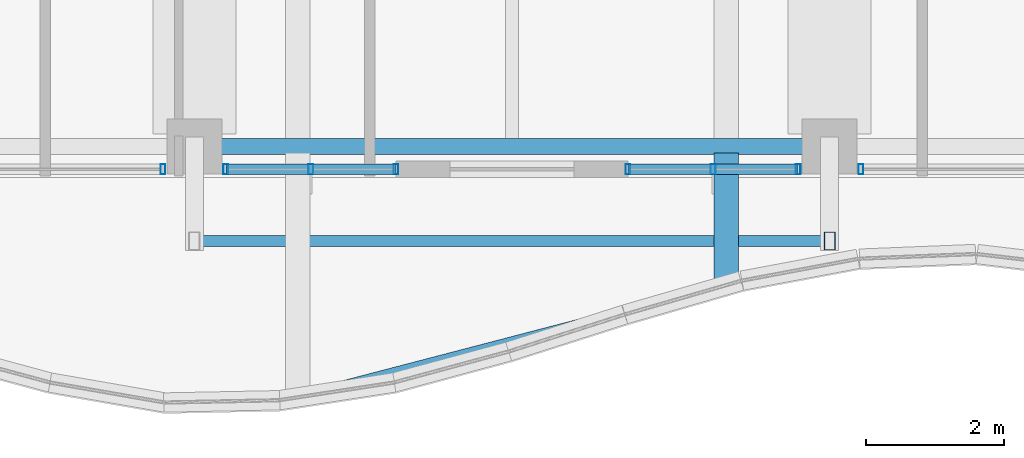
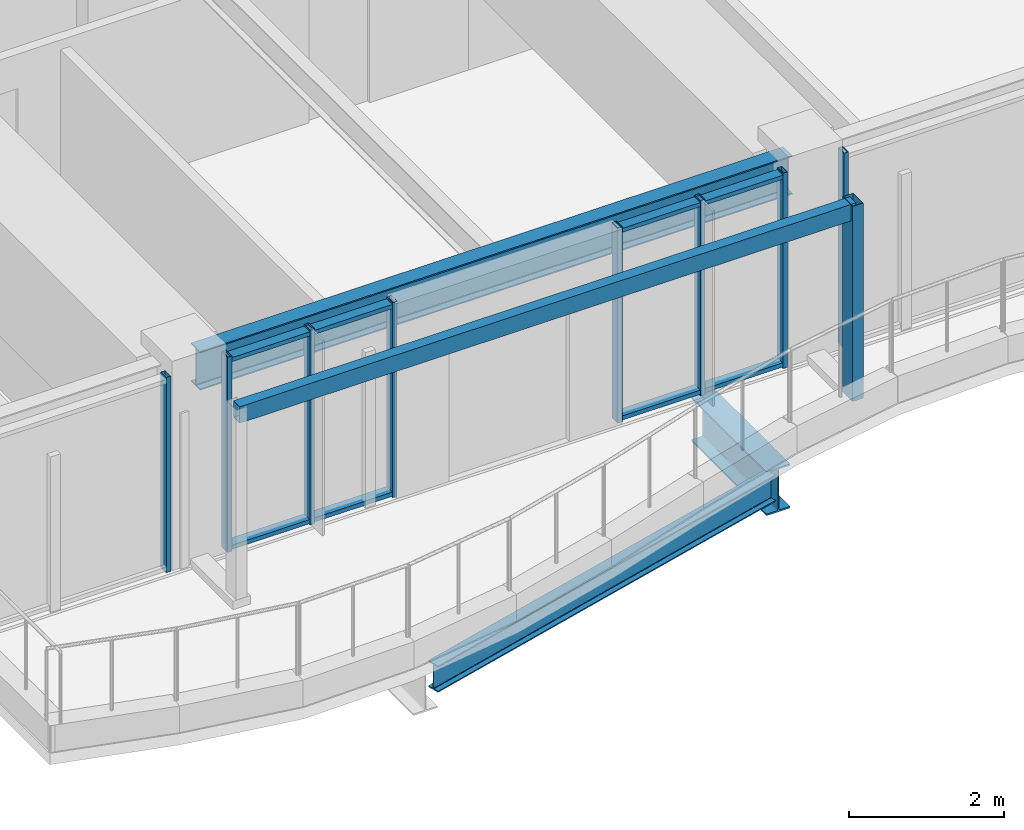
# One storey, part 5 of 37: 14 members, 3 beams, 4 elements without a shape of their own.
"""IFC4 building model written with IfcOpenShell, lengths in metres."""

from ifc_helpers import new_model, si_unit, direction, frame, origin, origin_2d, place, context, subcontext, project, spatial, hollow_rectangle, i_section, extrude, material, material_profile, profile_set, type_object, element, aggregate, save


model = new_model("IFC4")

# Units and contexts
model_context = context("Model", 3, precision=1e-05, world=origin(), true_north=direction((0.0, 1.0)))
body_context = subcontext(model_context, "Body", "Model", "MODEL_VIEW")
ifc_project = project(units=[si_unit("LENGTHUNIT", "METRE"), si_unit("AREAUNIT", "SQUARE_METRE"), si_unit("VOLUMEUNIT", "CUBIC_METRE"), si_unit("PLANEANGLEUNIT", "RADIAN"), si_unit("MASSUNIT", "GRAM", prefix="KILO")], contexts=[model_context])

# Site, building, storey
site_placement = place(None, origin())
site = spatial("IfcSite", under=ifc_project, at=site_placement, CompositionType="ELEMENT")
building_placement = place(site_placement, origin())
building = spatial("IfcBuilding", under=site, at=building_placement, Name="Kolvaren Belvedere", CompositionType="ELEMENT")
storey_placement = place(building_placement, frame((0.0, 0.0, 219.60009765625)))
storey = spatial("IfcBuildingStorey", under=building, at=storey_placement, Name="L64", CompositionType="ELEMENT", Elevation=219.60009765625)

# Beams
ifc_material_1 = material(Name="Structural steel ASTM A992 Grade 50", Category="steel")
ifc_material_profile_1 = material_profile(ifc_material_1, i_section(OverallWidth=0.35498046875, OverallDepth=0.696044921875, WebThickness=0.015380859375, FlangeThickness=0.02490234375, FilletRadius=0.02197265625, at=origin_2d()), Name="W27X146")
ifc_profile_set_1 = profile_set([ifc_material_profile_1], Name="Structural steel ASTM A992 Grade 50")
beam_type_1 = type_object("IfcBeamType", Name="BM-CANT-BAL", PredefinedType="BEAM", material=ifc_profile_set_1)
beam_1_placement = place(storey_placement, frame((3.10009765625, -20.044921875, -0.568115234375), z_axis=(0.0, -1.0, 0.0), x_axis=(1.0, 0.0, 0.0)))
element("IfcBeam", 1, at=beam_1_placement, inside=storey, type_object=beam_type_1, Name="L64 Planted Balcony Cantilever BAL-S-2", PredefinedType="BEAM", context=body_context, shape_type="SweptSolid", body=[
    extrude(i_section(OverallWidth=0.35498046875, OverallDepth=0.696044921875, WebThickness=0.015380859375, FlangeThickness=0.02490234375, FilletRadius=0.02197265625, at=origin_2d()), origin(), (0.0, 0.0, 1.0), 1.94189453125),
])
ifc_material_2 = material(Name="Structural steel ASTM A992 Grade 50", Category="steel")
ifc_material_profile_2 = material_profile(ifc_material_2, i_section(OverallWidth=0.180908203125, OverallDepth=0.4169921875, WebThickness=0.010986328125, FlangeThickness=0.018310546875, FilletRadius=0.013916015625, at=origin_2d()), Name="W16X57")
ifc_profile_set_2 = profile_set([ifc_material_profile_2], Name="Structural steel ASTM A992 Grade 50")
beam_type_2 = type_object("IfcBeamType", Name="BM-EDGE-W16X57", PredefinedType="BEAM", material=ifc_profile_set_2)
beam_2_placement = place(storey_placement, frame((-2.964599609375, -23.570556640625, -0.4287109375), z_axis=(0.9675537799, 0.25266515985, 0.0), x_axis=(-0.25266515985, 0.9675537799, 0.0)))
element("IfcBeam", 2, at=beam_2_placement, inside=storey, type_object=beam_type_2, Name="L64 Balcony Tip Header Beam BAL-S", PredefinedType="BEAM", context=body_context, shape_type="SweptSolid", body=[
    extrude(i_section(OverallWidth=0.180908203125, OverallDepth=0.4169921875, WebThickness=0.010986328125, FlangeThickness=0.018310546875, FilletRadius=0.013916015625, at=origin_2d()), origin(), (0.0, 0.0, 1.0), 6.1279296875),
])
ifc_material_3 = material(Name="Structural steel ASTM A992 Grade 50", Category="steel")
ifc_material_profile_3 = material_profile(ifc_material_3, i_section(OverallWidth=0.22900390625, OverallDepth=0.612060546875, WebThickness=0.011962890625, FlangeThickness=0.01953125, FilletRadius=0.01806640625, at=origin_2d()), Name="W24X84")
ifc_profile_set_3 = profile_set([ifc_material_profile_3], Name="Structural steel ASTM A992 Grade 50")
beam_type_3 = type_object("IfcBeamType", Name="BM-SPAN-W24X84", PredefinedType="SPANDREL", material=ifc_profile_set_3)
beam_3_placement = place(storey_placement, frame((-4.419921875, -19.949951171875, 2.77392578125), z_axis=(1.0, 0.0, 0.0), x_axis=(0.0, 1.0, 0.0)))
element("IfcBeam", 3, at=beam_3_placement, inside=storey, type_object=beam_type_3, Name="L64 Perimeter Spandrel S2-S3", PredefinedType="SPANDREL", context=body_context, shape_type="SweptSolid", body=[
    extrude(i_section(OverallWidth=0.22900390625, OverallDepth=0.612060546875, WebThickness=0.011962890625, FlangeThickness=0.01953125, FilletRadius=0.01806640625, at=origin_2d()), origin(), (0.0, 0.0, 1.0), 8.83984375),
])

# Curtain wall, member
ifc_material_4 = material(Name="Anodised pale-metal aluminium AA 6063-T6", Category="aluminium")
curtain_wall_type = type_object("IfcCurtainWallType", Name="CW-Z5-HIGH", PredefinedType="NOTDEFINED", material=ifc_material_4)
curtain_wall_1_placement = place(storey_placement, origin())
curtain_wall_1 = element("IfcCurtainWall", 4, at=curtain_wall_1_placement, inside=storey, type_object=curtain_wall_type, Name="L64 Unitised Curtain Wall FCW-L64-S1-B1", PredefinedType="NOTDEFINED")
ifc_material_5 = material(Name="Anodised pale-metal aluminium AA 6063-T6", Category="aluminium")
ifc_material_profile_4 = material_profile(ifc_material_5, hollow_rectangle(XDim=0.070068359375, YDim=0.14990234375, WallThickness=0.004150390625, at=origin_2d()), Name="ALU-MUL-150X70")
ifc_profile_set_4 = profile_set([ifc_material_profile_4], Name="Anodised pale-metal aluminium AA 6063-T6")
member_type_1 = type_object("IfcMemberType", Name="CW-MUL-150", PredefinedType="MULLION", material=ifc_profile_set_4)
member_1_placement = place(storey_placement, frame((5.054931640625, -20.280029296875, 0.0), z_axis=(0.0, 0.0, 1.0), x_axis=(1.0, 0.0, 0.0)))
member_1 = element("IfcMember", 5, at=member_1_placement, type_object=member_type_1, Name="FCW-L64-S1-B1 Unitised Mullion 3", PredefinedType="MULLION", context=body_context, shape_type="SweptSolid", body=[
    extrude(hollow_rectangle(XDim=0.070068359375, YDim=0.14990234375, WallThickness=0.004150390625, at=origin_2d()), origin(), (0.0, 0.0, 1.0), 3.079833984375),
])
aggregate(curtain_wall_1, [member_1])

# Curtain wall, members
curtain_wall_2_placement = place(storey_placement, origin())
curtain_wall_2 = element("IfcCurtainWall", 6, at=curtain_wall_2_placement, inside=storey, type_object=curtain_wall_type, Name="L64 Unitised Curtain Wall FCW-L64-S1-B2", PredefinedType="NOTDEFINED")
member_2_placement = place(storey_placement, frame((4.14501953125, -20.280029296875, 0.0), z_axis=(0.0, 0.0, 1.0), x_axis=(1.0, 0.0, 0.0)))
member_2 = element("IfcMember", 7, at=member_2_placement, type_object=member_type_1, Name="FCW-L64-S1-B2 Unitised Mullion 1", PredefinedType="MULLION", context=body_context, shape_type="SweptSolid", body=[
    extrude(hollow_rectangle(XDim=0.070068359375, YDim=0.14990234375, WallThickness=0.004150390625, at=origin_2d()), origin(), (0.0, 0.0, 1.0), 3.079833984375),
])
member_3_placement = place(storey_placement, frame((2.91259765625, -20.280029296875, 0.0), z_axis=(0.0, 0.0, 1.0), x_axis=(1.0, 0.0, 0.0)))
member_3 = element("IfcMember", 8, at=member_3_placement, type_object=member_type_1, Name="FCW-L64-S1-B2 Unitised Mullion 2", PredefinedType="MULLION", context=body_context, shape_type="SweptSolid", body=[
    extrude(hollow_rectangle(XDim=0.070068359375, YDim=0.14990234375, WallThickness=0.004150390625, at=origin_2d()), origin(), (0.0, 0.0, 1.0), 3.079833984375),
])
member_4_placement = place(storey_placement, frame((1.679931640625, -20.280029296875, 0.0), z_axis=(0.0, 0.0, 1.0), x_axis=(1.0, 0.0, 0.0)))
member_4 = element("IfcMember", 9, at=member_4_placement, type_object=member_type_1, Name="FCW-L64-S1-B2 Unitised Mullion 3", PredefinedType="MULLION", context=body_context, shape_type="SweptSolid", body=[
    extrude(hollow_rectangle(XDim=0.070068359375, YDim=0.14990234375, WallThickness=0.004150390625, at=origin_2d()), origin(), (0.0, 0.0, 1.0), 3.079833984375),
])

curtain_wall_3_placement = place(storey_placement, origin())
curtain_wall_3 = element("IfcCurtainWall", 10, at=curtain_wall_3_placement, inside=storey, type_object=curtain_wall_type, Name="L64 Unitised Curtain Wall FCW-L64-S2-B1", PredefinedType="NOTDEFINED")
member_5_placement = place(storey_placement, frame((-1.679931640625, -20.280029296875, 0.0), z_axis=(0.0, 0.0, 1.0), x_axis=(1.0, 0.0, 0.0)))
member_5 = element("IfcMember", 11, at=member_5_placement, type_object=member_type_1, Name="FCW-L64-S2-B1 Unitised Mullion 1", PredefinedType="MULLION", context=body_context, shape_type="SweptSolid", body=[
    extrude(hollow_rectangle(XDim=0.070068359375, YDim=0.14990234375, WallThickness=0.004150390625, at=origin_2d()), origin(), (0.0, 0.0, 1.0), 3.079833984375),
])
member_6_placement = place(storey_placement, frame((-2.91259765625, -20.280029296875, 0.0), z_axis=(0.0, 0.0, 1.0), x_axis=(1.0, 0.0, 0.0)))
member_6 = element("IfcMember", 12, at=member_6_placement, type_object=member_type_1, Name="FCW-L64-S2-B1 Unitised Mullion 2", PredefinedType="MULLION", context=body_context, shape_type="SweptSolid", body=[
    extrude(hollow_rectangle(XDim=0.070068359375, YDim=0.14990234375, WallThickness=0.004150390625, at=origin_2d()), origin(), (0.0, 0.0, 1.0), 3.079833984375),
])
member_7_placement = place(storey_placement, frame((-4.14501953125, -20.280029296875, 0.0), z_axis=(0.0, 0.0, 1.0), x_axis=(1.0, 0.0, 0.0)))
member_7 = element("IfcMember", 13, at=member_7_placement, type_object=member_type_1, Name="FCW-L64-S2-B1 Unitised Mullion 3", PredefinedType="MULLION", context=body_context, shape_type="SweptSolid", body=[
    extrude(hollow_rectangle(XDim=0.070068359375, YDim=0.14990234375, WallThickness=0.004150390625, at=origin_2d()), origin(), (0.0, 0.0, 1.0), 3.079833984375),
])

# Curtain wall, member
curtain_wall_4_placement = place(storey_placement, origin())
curtain_wall_4 = element("IfcCurtainWall", 14, at=curtain_wall_4_placement, inside=storey, type_object=curtain_wall_type, Name="L64 Unitised Curtain Wall FCW-L64-S2-B2", PredefinedType="NOTDEFINED")
member_8_placement = place(storey_placement, frame((-5.054931640625, -20.280029296875, 0.0), z_axis=(0.0, 0.0, 1.0), x_axis=(1.0, 0.0, 0.0)))
member_8 = element("IfcMember", 15, at=member_8_placement, type_object=member_type_1, Name="FCW-L64-S2-B2 Unitised Mullion 1", PredefinedType="MULLION", context=body_context, shape_type="SweptSolid", body=[
    extrude(hollow_rectangle(XDim=0.070068359375, YDim=0.14990234375, WallThickness=0.004150390625, at=origin_2d()), origin(), (0.0, 0.0, 1.0), 3.079833984375),
])
aggregate(curtain_wall_4, [member_8])

# Member
ifc_material_6 = material(Name="Anodised pale-metal aluminium AA 6063-T6", Category="aluminium")
ifc_material_profile_5 = material_profile(ifc_material_6, hollow_rectangle(XDim=0.06494140625, YDim=0.14990234375, WallThickness=0.00390625, at=origin_2d()), Name="ALU-TRN-150X65")
ifc_profile_set_5 = profile_set([ifc_material_profile_5], Name="Anodised pale-metal aluminium AA 6063-T6")
member_type_2 = type_object("IfcMemberType", Name="CW-TRN-150", PredefinedType="USERDEFINED", material=ifc_profile_set_5)
member_9_placement = place(storey_placement, frame((4.14501953125, -20.280029296875, 0.059814453125), z_axis=(-1.0, 0.0, 0.0), x_axis=(0.0, 0.0, 1.0)))
member_9 = element("IfcMember", 16, at=member_9_placement, type_object=member_type_2, Name="FCW-L64-S1-B2 Sill Transom", ObjectType="TRANSOM", PredefinedType="USERDEFINED", context=body_context, shape_type="SweptSolid", body=[
    extrude(hollow_rectangle(XDim=0.06494140625, YDim=0.14990234375, WallThickness=0.00390625, at=origin_2d()), origin(), (0.0, 0.0, 1.0), 2.465087890625),
])

member_10_placement = place(storey_placement, frame((4.14501953125, -20.280029296875, 3.02001953125), z_axis=(-1.0, 0.0, 0.0), x_axis=(0.0, 0.0, 1.0)))
member_10 = element("IfcMember", 17, at=member_10_placement, type_object=member_type_2, Name="FCW-L64-S1-B2 Head Transom", ObjectType="TRANSOM", PredefinedType="USERDEFINED", context=body_context, shape_type="SweptSolid", body=[
    extrude(hollow_rectangle(XDim=0.06494140625, YDim=0.14990234375, WallThickness=0.00390625, at=origin_2d()), origin(), (0.0, 0.0, 1.0), 2.465087890625),
])

aggregate(curtain_wall_2, [member_2, member_3, member_4, member_9, member_10])

member_11_placement = place(storey_placement, frame((-1.679931640625, -20.280029296875, 0.059814453125), z_axis=(-1.0, 0.0, 0.0), x_axis=(0.0, 0.0, 1.0)))
member_11 = element("IfcMember", 18, at=member_11_placement, type_object=member_type_2, Name="FCW-L64-S2-B1 Sill Transom", ObjectType="TRANSOM", PredefinedType="USERDEFINED", context=body_context, shape_type="SweptSolid", body=[
    extrude(hollow_rectangle(XDim=0.06494140625, YDim=0.14990234375, WallThickness=0.00390625, at=origin_2d()), origin(), (0.0, 0.0, 1.0), 2.465087890625),
])

member_12_placement = place(storey_placement, frame((-1.679931640625, -20.280029296875, 3.02001953125), z_axis=(-1.0, 0.0, 0.0), x_axis=(0.0, 0.0, 1.0)))
member_12 = element("IfcMember", 19, at=member_12_placement, type_object=member_type_2, Name="FCW-L64-S2-B1 Head Transom", ObjectType="TRANSOM", PredefinedType="USERDEFINED", context=body_context, shape_type="SweptSolid", body=[
    extrude(hollow_rectangle(XDim=0.06494140625, YDim=0.14990234375, WallThickness=0.00390625, at=origin_2d()), origin(), (0.0, 0.0, 1.0), 2.465087890625),
])

aggregate(curtain_wall_3, [member_5, member_6, member_7, member_11, member_12])

# Members
ifc_material_7 = material(Name="Anodised pale-metal aluminium AA 6063-T6", Category="aluminium")
ifc_material_profile_6 = material_profile(ifc_material_7, hollow_rectangle(XDim=0.159912109375, YDim=0.260009765625, WallThickness=0.006591796875, at=origin_2d()), Name="ALU-PF-260X160")
ifc_profile_set_6 = profile_set([ifc_material_profile_6], Name="Anodised pale-metal aluminium AA 6063-T6")
member_type_3 = type_object("IfcMemberType", Name="PF-FRAME-260", PredefinedType="USERDEFINED", material=ifc_profile_set_6)
member_13_placement = place(storey_placement, frame((4.60009765625, -21.320068359375, 0.0), z_axis=(0.0, 0.0, 1.0), x_axis=(1.0, 0.0, 0.0)))
element("IfcMember", 20, at=member_13_placement, inside=storey, type_object=member_type_3, Name="L64 Outboard Picture-Frame Vertical S1", ObjectType="PICTURE FRAME FIN", PredefinedType="USERDEFINED", context=body_context, shape_type="SweptSolid", body=[
    extrude(hollow_rectangle(XDim=0.159912109375, YDim=0.260009765625, WallThickness=0.006591796875, at=origin_2d()), origin(), (0.0, 0.0, 1.0), 3.079833984375),
])
member_14_placement = place(storey_placement, frame((4.60009765625, -21.320068359375, 2.949951171875), z_axis=(-1.0, 0.0, 0.0), x_axis=(0.0, -1.0, 0.0)))
element("IfcMember", 21, at=member_14_placement, inside=storey, type_object=member_type_3, Name="L64 Outboard Picture-Frame Head S", ObjectType="PICTURE FRAME FIN", PredefinedType="USERDEFINED", context=body_context, shape_type="SweptSolid", body=[
    extrude(hollow_rectangle(XDim=0.159912109375, YDim=0.260009765625, WallThickness=0.006591796875, at=origin_2d()), origin(), (0.0, 0.0, 1.0), 9.2001953125),
])

save(model, "model.ifc")
